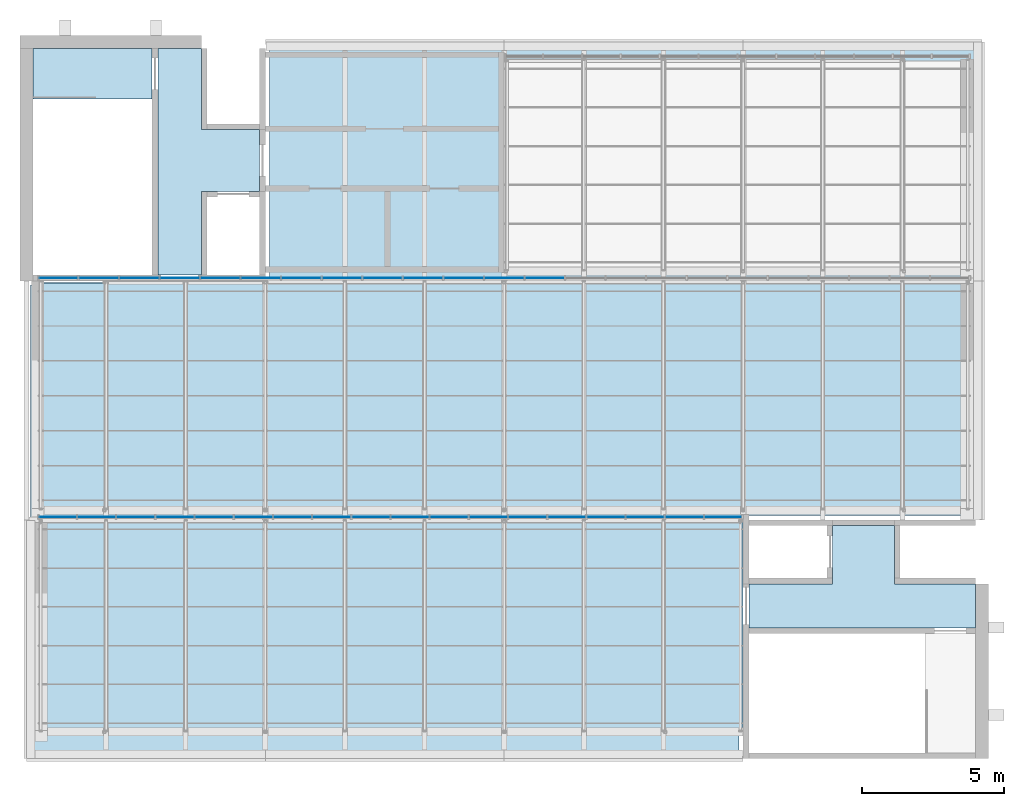
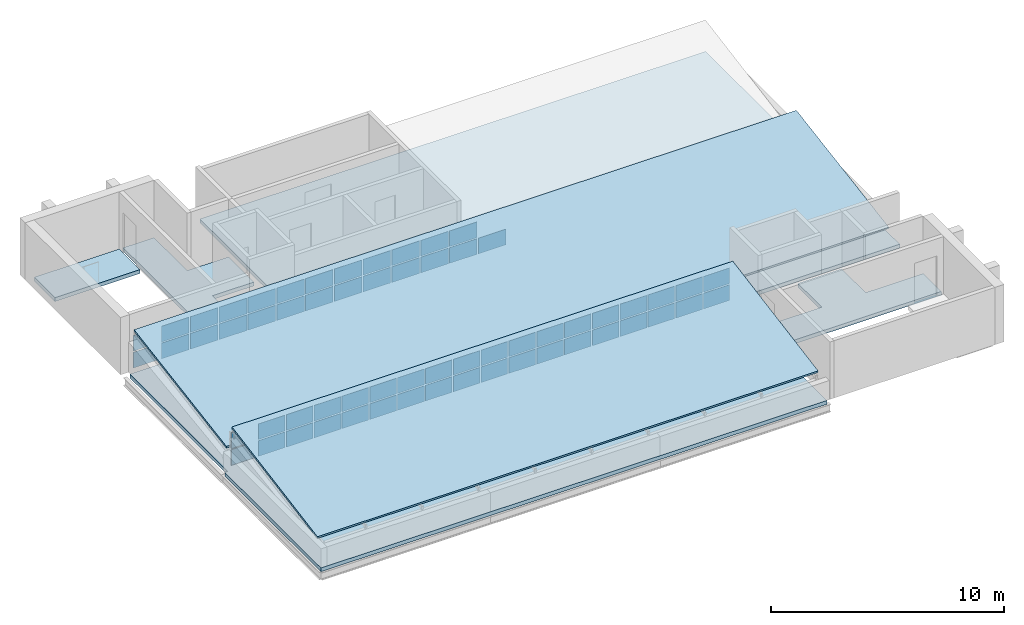
# One storey, part 21 of 33: 61 plates, 6 slabs, 2 elements without a shape of their own.
"""IFC4 building model written with IfcOpenShell, lengths in metres."""

from ifc_helpers import new_model, si_unit, direction, frame, origin, origin_2d, place, context, subcontext, project, spatial, polyline, rectangle, outline, extrude, material, layer, layer_set, type_object, element, aggregate, save


model = new_model("IFC4")

# Units and contexts
model_context = context("Model", 3, precision=1e-05, world=origin(), true_north=direction((0.0, 1.0)))
body_context = subcontext(model_context, "Body", "Model", "MODEL_VIEW")
ifc_project = project(units=[si_unit("LENGTHUNIT", "METRE"), si_unit("AREAUNIT", "SQUARE_METRE"), si_unit("VOLUMEUNIT", "CUBIC_METRE"), si_unit("PLANEANGLEUNIT", "RADIAN"), si_unit("MASSUNIT", "GRAM", prefix="KILO")], contexts=[model_context])

# Site, building, storey
site_placement = place(None, origin())
site = spatial("IfcSite", under=ifc_project, at=site_placement, CompositionType="ELEMENT")
building_placement = place(site_placement, origin())
building = spatial("IfcBuilding", under=site, at=building_placement, Name="Ardhachandra Cancer Care Centre", CompositionType="ELEMENT")
storey_placement = place(building_placement, frame((0.0, 0.0, 27.0)))
storey = spatial("IfcBuildingStorey", under=building, at=storey_placement, Name="Roof", CompositionType="ELEMENT", Elevation=27.0)

# Slabs
ifc_material_1 = material(Name="Composite slab Concrete M30 on steel deck", Category="concrete")
ifc_layer_1 = layer(ifc_material_1, 0.199951171875)
ifc_layer_set_1 = layer_set([ifc_layer_1], Name="Composite slab Concrete M30 on steel deck")
slab_type_1 = type_object("IfcSlabType", Name="Composite roof slab 200", PredefinedType="ROOF", material=ifc_layer_set_1)
slab_1_placement = place(storey_placement, frame((0.0, 0.0, -0.199951171875)))
element("IfcSlab", 1, at=slab_1_placement, inside=storey, type_object=slab_type_1, Name="Roof slab V5", PredefinedType="ROOF", context=body_context, shape_type="SweptSolid", body=[
    extrude(outline(polyline([(120.14990234375, 105.0), (120.14990234375, 96.449951171875), (111.75, 96.449951171875), (111.75, 88.050048828125), (111.60009765625, 88.050048828125), (111.60009765625, 79.800048828125), (136.64990234375, 79.800048828125), (136.64990234375, 79.949951171875), (136.64990234375, 88.35009765625), (145.199951171875, 88.35009765625), (145.199951171875, 105.0), (120.14990234375, 105.0)])), origin(), (0.0, 0.0, 1.0), 0.199951171875),
])
ifc_material_2 = material(Name="Concrete M40", Category="concrete")
ifc_layer_2 = layer(ifc_material_2, 0.199951171875)
ifc_layer_set_2 = layer_set([ifc_layer_2], Name="Concrete M40")
slab_type_2 = type_object("IfcSlabType", Name="Core head-house floor slab 200", PredefinedType="FLOOR", material=ifc_layer_set_2)
slab_2_placement = place(storey_placement, frame((0.0, 0.0, -0.199951171875)))
element("IfcSlab", 2, at=slab_2_placement, inside=storey, type_object=slab_type_2, Name="Stair head-house floor slab K12 1", PredefinedType="FLOOR", context=body_context, shape_type="SweptSolid", body=[
    extrude(outline(polyline([(116.02490234375, 104.77490234375), (116.02490234375, 103.0), (111.824951171875, 103.0), (111.824951171875, 104.77490234375), (116.02490234375, 104.77490234375)])), origin(), (0.0, 0.0, 1.0), 0.199951171875),
])
slab_3_placement = place(storey_placement, frame((0.0, 0.0, -0.199951171875)))
element("IfcSlab", 3, at=slab_3_placement, inside=storey, type_object=slab_type_2, Name="Stair head-house floor slab K12 2", PredefinedType="FLOOR", context=body_context, shape_type="SweptSolid", body=[
    extrude(outline(polyline([(117.949951171875, 99.75), (117.75, 99.75), (117.75, 96.800048828125), (116.22509765625, 96.800048828125), (116.22509765625, 104.77490234375), (117.75, 104.77490234375), (117.75, 101.925048828125), (117.949951171875, 101.925048828125), (119.800048828125, 101.925048828125), (119.800048828125, 99.75), (117.949951171875, 99.75)])), origin(), (0.0, 0.0, 1.0), 0.199951171875),
])
slab_4_placement = place(storey_placement, frame((0.0, 0.0, -0.199951171875)))
element("IfcSlab", 4, at=slab_4_placement, inside=storey, type_object=slab_type_2, Name="Stair head-house floor slab K13 2", PredefinedType="FLOOR", context=body_context, shape_type="SweptSolid", body=[
    extrude(outline(polyline([(139.949951171875, 86.14990234375), (139.949951171875, 85.949951171875), (137.0, 85.949951171875), (137.0, 84.39990234375), (144.97509765625, 84.39990234375), (144.97509765625, 85.949951171875), (142.125, 85.949951171875), (142.125, 86.14990234375), (142.125, 88.0), (139.949951171875, 88.0), (139.949951171875, 86.14990234375)])), origin(), (0.0, 0.0, 1.0), 0.199951171875),
])

# Curtain wall, plates
ifc_material_3 = material(Name="Aluminium extrusion", Category="aluminium")
ifc_layer_3 = layer(ifc_material_3, 0.14990234375)
ifc_layer_set_3 = layer_set([ifc_layer_3], Name="Aluminium extrusion")
curtain_wall_type = type_object("IfcCurtainWallType", Name="Curtain wall run", PredefinedType="NOTDEFINED", material=ifc_layer_set_3)
curtain_wall_1_placement = place(storey_placement, origin())
curtain_wall_1 = element("IfcCurtainWall", 5, at=curtain_wall_1_placement, inside=storey, type_object=curtain_wall_type, Name="Curtain wall Roof n/0112000_0088300", PredefinedType="NOTDEFINED")
ifc_material_4 = material(Name="Low-iron double-glazed unit")
ifc_layer_4 = layer(ifc_material_4, 0.028076171875)
ifc_layer_set_4 = layer_set([ifc_layer_4], Name="Low-iron double-glazed unit")
plate_type_1 = type_object("IfcPlateType", Name="Curtain wall glazing 28", PredefinedType="CURTAIN_PANEL", material=ifc_layer_set_4)
plate_1_placement = place(storey_placement, frame((112.703857421875, 88.300048828125, 0.93994140625), z_axis=(0.0, 0.0, 1.0), x_axis=(1.0, 0.0, 0.0)))
plate_1 = element("IfcPlate", 6, at=plate_1_placement, type_object=plate_type_1, Name="CW panel 1.2", PredefinedType="CURTAIN_PANEL", context=body_context, shape_type="SweptSolid", body=[
    extrude(rectangle(XDim=1.287841796875, YDim=0.028076171875, at=origin_2d()), origin(), (0.0, 0.0, 1.0), 0.820068359375),
])
plate_2_placement = place(storey_placement, frame((114.066650390625, 88.300048828125, 0.93994140625), z_axis=(0.0, 0.0, 1.0), x_axis=(1.0, 0.0, 0.0)))
plate_2 = element("IfcPlate", 7, at=plate_2_placement, type_object=plate_type_1, Name="CW panel 2.2", PredefinedType="CURTAIN_PANEL", context=body_context, shape_type="SweptSolid", body=[
    extrude(rectangle(XDim=1.31787109375, YDim=0.028076171875, at=origin_2d()), origin(), (0.0, 0.0, 1.0), 0.820068359375),
])
plate_3_placement = place(storey_placement, frame((115.4443359375, 88.300048828125, 0.93994140625), z_axis=(0.0, 0.0, 1.0), x_axis=(1.0, 0.0, 0.0)))
plate_3 = element("IfcPlate", 8, at=plate_3_placement, type_object=plate_type_1, Name="CW panel 3.2", PredefinedType="CURTAIN_PANEL", context=body_context, shape_type="SweptSolid", body=[
    extrude(rectangle(XDim=1.31787109375, YDim=0.028076171875, at=origin_2d()), origin(), (0.0, 0.0, 1.0), 0.820068359375),
])
plate_4_placement = place(storey_placement, frame((116.822265625, 88.300048828125, 0.93994140625), z_axis=(0.0, 0.0, 1.0), x_axis=(1.0, 0.0, 0.0)))
plate_4 = element("IfcPlate", 9, at=plate_4_placement, type_object=plate_type_1, Name="CW panel 4.2", PredefinedType="CURTAIN_PANEL", context=body_context, shape_type="SweptSolid", body=[
    extrude(rectangle(XDim=1.31787109375, YDim=0.028076171875, at=origin_2d()), origin(), (0.0, 0.0, 1.0), 0.820068359375),
])
plate_5_placement = place(storey_placement, frame((118.199951171875, 88.300048828125, 0.93994140625), z_axis=(0.0, 0.0, 1.0), x_axis=(1.0, 0.0, 0.0)))
plate_5 = element("IfcPlate", 10, at=plate_5_placement, type_object=plate_type_1, Name="CW panel 5.2", PredefinedType="CURTAIN_PANEL", context=body_context, shape_type="SweptSolid", body=[
    extrude(rectangle(XDim=1.31787109375, YDim=0.028076171875, at=origin_2d()), origin(), (0.0, 0.0, 1.0), 0.820068359375),
])
plate_6_placement = place(storey_placement, frame((119.577880859375, 88.300048828125, 0.93994140625), z_axis=(0.0, 0.0, 1.0), x_axis=(1.0, 0.0, 0.0)))
plate_6 = element("IfcPlate", 11, at=plate_6_placement, type_object=plate_type_1, Name="CW panel 6.2", PredefinedType="CURTAIN_PANEL", context=body_context, shape_type="SweptSolid", body=[
    extrude(rectangle(XDim=1.31787109375, YDim=0.028076171875, at=origin_2d()), origin(), (0.0, 0.0, 1.0), 0.820068359375),
])
plate_7_placement = place(storey_placement, frame((120.95556640625, 88.300048828125, 0.93994140625), z_axis=(0.0, 0.0, 1.0), x_axis=(1.0, 0.0, 0.0)))
plate_7 = element("IfcPlate", 12, at=plate_7_placement, type_object=plate_type_1, Name="CW panel 7.2", PredefinedType="CURTAIN_PANEL", context=body_context, shape_type="SweptSolid", body=[
    extrude(rectangle(XDim=1.31787109375, YDim=0.028076171875, at=origin_2d()), origin(), (0.0, 0.0, 1.0), 0.820068359375),
])
plate_8_placement = place(storey_placement, frame((122.333251953125, 88.300048828125, 0.93994140625), z_axis=(0.0, 0.0, 1.0), x_axis=(1.0, 0.0, 0.0)))
plate_8 = element("IfcPlate", 13, at=plate_8_placement, type_object=plate_type_1, Name="CW panel 8.2", PredefinedType="CURTAIN_PANEL", context=body_context, shape_type="SweptSolid", body=[
    extrude(rectangle(XDim=1.31787109375, YDim=0.028076171875, at=origin_2d()), origin(), (0.0, 0.0, 1.0), 0.820068359375),
])
plate_9_placement = place(storey_placement, frame((123.711181640625, 88.300048828125, 0.93994140625), z_axis=(0.0, 0.0, 1.0), x_axis=(1.0, 0.0, 0.0)))
plate_9 = element("IfcPlate", 14, at=plate_9_placement, type_object=plate_type_1, Name="CW panel 9.2", PredefinedType="CURTAIN_PANEL", context=body_context, shape_type="SweptSolid", body=[
    extrude(rectangle(XDim=1.31787109375, YDim=0.028076171875, at=origin_2d()), origin(), (0.0, 0.0, 1.0), 0.820068359375),
])
plate_10_placement = place(storey_placement, frame((125.0888671875, 88.300048828125, 0.93994140625), z_axis=(0.0, 0.0, 1.0), x_axis=(1.0, 0.0, 0.0)))
plate_10 = element("IfcPlate", 15, at=plate_10_placement, type_object=plate_type_1, Name="CW panel 10.2", PredefinedType="CURTAIN_PANEL", context=body_context, shape_type="SweptSolid", body=[
    extrude(rectangle(XDim=1.31787109375, YDim=0.028076171875, at=origin_2d()), origin(), (0.0, 0.0, 1.0), 0.820068359375),
])
plate_11_placement = place(storey_placement, frame((126.466552734375, 88.300048828125, 0.93994140625), z_axis=(0.0, 0.0, 1.0), x_axis=(1.0, 0.0, 0.0)))
plate_11 = element("IfcPlate", 16, at=plate_11_placement, type_object=plate_type_1, Name="CW panel 11.2", PredefinedType="CURTAIN_PANEL", context=body_context, shape_type="SweptSolid", body=[
    extrude(rectangle(XDim=1.31787109375, YDim=0.028076171875, at=origin_2d()), origin(), (0.0, 0.0, 1.0), 0.820068359375),
])
plate_12_placement = place(storey_placement, frame((127.844482421875, 88.300048828125, 0.93994140625), z_axis=(0.0, 0.0, 1.0), x_axis=(1.0, 0.0, 0.0)))
plate_12 = element("IfcPlate", 17, at=plate_12_placement, type_object=plate_type_1, Name="CW panel 12.2", PredefinedType="CURTAIN_PANEL", context=body_context, shape_type="SweptSolid", body=[
    extrude(rectangle(XDim=1.31787109375, YDim=0.028076171875, at=origin_2d()), origin(), (0.0, 0.0, 1.0), 0.820068359375),
])
plate_13_placement = place(storey_placement, frame((129.22216796875, 88.300048828125, 0.93994140625), z_axis=(0.0, 0.0, 1.0), x_axis=(1.0, 0.0, 0.0)))
plate_13 = element("IfcPlate", 18, at=plate_13_placement, type_object=plate_type_1, Name="CW panel 13.2", PredefinedType="CURTAIN_PANEL", context=body_context, shape_type="SweptSolid", body=[
    extrude(rectangle(XDim=1.31787109375, YDim=0.028076171875, at=origin_2d()), origin(), (0.0, 0.0, 1.0), 0.820068359375),
])
plate_14_placement = place(storey_placement, frame((130.60009765625, 88.300048828125, 0.93994140625), z_axis=(0.0, 0.0, 1.0), x_axis=(1.0, 0.0, 0.0)))
plate_14 = element("IfcPlate", 19, at=plate_14_placement, type_object=plate_type_1, Name="CW panel 14.2", PredefinedType="CURTAIN_PANEL", context=body_context, shape_type="SweptSolid", body=[
    extrude(rectangle(XDim=1.31787109375, YDim=0.028076171875, at=origin_2d()), origin(), (0.0, 0.0, 1.0), 0.820068359375),
])
plate_15_placement = place(storey_placement, frame((131.977783203125, 88.300048828125, 0.93994140625), z_axis=(0.0, 0.0, 1.0), x_axis=(1.0, 0.0, 0.0)))
plate_15 = element("IfcPlate", 20, at=plate_15_placement, type_object=plate_type_1, Name="CW panel 15.2", PredefinedType="CURTAIN_PANEL", context=body_context, shape_type="SweptSolid", body=[
    extrude(rectangle(XDim=1.31787109375, YDim=0.028076171875, at=origin_2d()), origin(), (0.0, 0.0, 1.0), 0.820068359375),
])
plate_16_placement = place(storey_placement, frame((133.35546875, 88.300048828125, 0.93994140625), z_axis=(0.0, 0.0, 1.0), x_axis=(1.0, 0.0, 0.0)))
plate_16 = element("IfcPlate", 21, at=plate_16_placement, type_object=plate_type_1, Name="CW panel 16.2", PredefinedType="CURTAIN_PANEL", context=body_context, shape_type="SweptSolid", body=[
    extrude(rectangle(XDim=1.31787109375, YDim=0.028076171875, at=origin_2d()), origin(), (0.0, 0.0, 1.0), 0.820068359375),
])
plate_17_placement = place(storey_placement, frame((134.7333984375, 88.300048828125, 0.93994140625), z_axis=(0.0, 0.0, 1.0), x_axis=(1.0, 0.0, 0.0)))
plate_17 = element("IfcPlate", 22, at=plate_17_placement, type_object=plate_type_1, Name="CW panel 17.2", PredefinedType="CURTAIN_PANEL", context=body_context, shape_type="SweptSolid", body=[
    extrude(rectangle(XDim=1.31787109375, YDim=0.028076171875, at=origin_2d()), origin(), (0.0, 0.0, 1.0), 0.820068359375),
])
plate_18_placement = place(storey_placement, frame((136.09619140625, 88.300048828125, 0.93994140625), z_axis=(0.0, 0.0, 1.0), x_axis=(1.0, 0.0, 0.0)))
plate_18 = element("IfcPlate", 23, at=plate_18_placement, type_object=plate_type_1, Name="CW panel 18.2", PredefinedType="CURTAIN_PANEL", context=body_context, shape_type="SweptSolid", body=[
    extrude(rectangle(XDim=1.287841796875, YDim=0.028076171875, at=origin_2d()), origin(), (0.0, 0.0, 1.0), 0.820068359375),
])

curtain_wall_2_placement = place(storey_placement, origin())
curtain_wall_2 = element("IfcCurtainWall", 24, at=curtain_wall_2_placement, inside=storey, type_object=curtain_wall_type, Name="Curtain wall Roof n/0112000_0096700", PredefinedType="NOTDEFINED")
plate_19_placement = place(storey_placement, frame((112.72802734375, 96.699951171875, 0.93994140625), z_axis=(0.0, 0.0, 1.0), x_axis=(1.0, 0.0, 0.0)))
plate_19 = element("IfcPlate", 25, at=plate_19_placement, type_object=plate_type_1, Name="CW panel 1.2", PredefinedType="CURTAIN_PANEL", context=body_context, shape_type="SweptSolid", body=[
    extrude(rectangle(XDim=1.336181640625, YDim=0.028076171875, at=origin_2d()), origin(), (0.0, 0.0, 1.0), 0.820068359375),
])
plate_20_placement = place(storey_placement, frame((114.13916015625, 96.699951171875, 0.93994140625), z_axis=(0.0, 0.0, 1.0), x_axis=(1.0, 0.0, 0.0)))
plate_20 = element("IfcPlate", 26, at=plate_20_placement, type_object=plate_type_1, Name="CW panel 2.2", PredefinedType="CURTAIN_PANEL", context=body_context, shape_type="SweptSolid", body=[
    extrude(rectangle(XDim=1.365966796875, YDim=0.028076171875, at=origin_2d()), origin(), (0.0, 0.0, 1.0), 0.820068359375),
])
plate_21_placement = place(storey_placement, frame((115.565185546875, 96.699951171875, 0.93994140625), z_axis=(0.0, 0.0, 1.0), x_axis=(1.0, 0.0, 0.0)))
plate_21 = element("IfcPlate", 27, at=plate_21_placement, type_object=plate_type_1, Name="CW panel 3.2", PredefinedType="CURTAIN_PANEL", context=body_context, shape_type="SweptSolid", body=[
    extrude(rectangle(XDim=1.365966796875, YDim=0.028076171875, at=origin_2d()), origin(), (0.0, 0.0, 1.0), 0.820068359375),
])
plate_22_placement = place(storey_placement, frame((116.9912109375, 96.699951171875, 0.93994140625), z_axis=(0.0, 0.0, 1.0), x_axis=(1.0, 0.0, 0.0)))
plate_22 = element("IfcPlate", 28, at=plate_22_placement, type_object=plate_type_1, Name="CW panel 4.2", PredefinedType="CURTAIN_PANEL", context=body_context, shape_type="SweptSolid", body=[
    extrude(rectangle(XDim=1.365966796875, YDim=0.028076171875, at=origin_2d()), origin(), (0.0, 0.0, 1.0), 0.820068359375),
])
plate_23_placement = place(storey_placement, frame((118.41748046875, 96.699951171875, 0.93994140625), z_axis=(0.0, 0.0, 1.0), x_axis=(1.0, 0.0, 0.0)))
plate_23 = element("IfcPlate", 29, at=plate_23_placement, type_object=plate_type_1, Name="CW panel 5.2", PredefinedType="CURTAIN_PANEL", context=body_context, shape_type="SweptSolid", body=[
    extrude(rectangle(XDim=1.365966796875, YDim=0.028076171875, at=origin_2d()), origin(), (0.0, 0.0, 1.0), 0.820068359375),
])
plate_24_placement = place(storey_placement, frame((119.843505859375, 96.699951171875, 0.93994140625), z_axis=(0.0, 0.0, 1.0), x_axis=(1.0, 0.0, 0.0)))
plate_24 = element("IfcPlate", 30, at=plate_24_placement, type_object=plate_type_1, Name="CW panel 6.2", PredefinedType="CURTAIN_PANEL", context=body_context, shape_type="SweptSolid", body=[
    extrude(rectangle(XDim=1.365966796875, YDim=0.028076171875, at=origin_2d()), origin(), (0.0, 0.0, 1.0), 0.820068359375),
])
plate_25_placement = place(storey_placement, frame((121.26953125, 96.699951171875, 0.93994140625), z_axis=(0.0, 0.0, 1.0), x_axis=(1.0, 0.0, 0.0)))
plate_25 = element("IfcPlate", 31, at=plate_25_placement, type_object=plate_type_1, Name="CW panel 7.2", PredefinedType="CURTAIN_PANEL", context=body_context, shape_type="SweptSolid", body=[
    extrude(rectangle(XDim=1.365966796875, YDim=0.028076171875, at=origin_2d()), origin(), (0.0, 0.0, 1.0), 0.820068359375),
])
plate_26_placement = place(storey_placement, frame((122.695556640625, 96.699951171875, 0.93994140625), z_axis=(0.0, 0.0, 1.0), x_axis=(1.0, 0.0, 0.0)))
plate_26 = element("IfcPlate", 32, at=plate_26_placement, type_object=plate_type_1, Name="CW panel 8.2", PredefinedType="CURTAIN_PANEL", context=body_context, shape_type="SweptSolid", body=[
    extrude(rectangle(XDim=1.365966796875, YDim=0.028076171875, at=origin_2d()), origin(), (0.0, 0.0, 1.0), 0.820068359375),
])
plate_27_placement = place(storey_placement, frame((124.121826171875, 96.699951171875, 0.93994140625), z_axis=(0.0, 0.0, 1.0), x_axis=(1.0, 0.0, 0.0)))
plate_27 = element("IfcPlate", 33, at=plate_27_placement, type_object=plate_type_1, Name="CW panel 9.2", PredefinedType="CURTAIN_PANEL", context=body_context, shape_type="SweptSolid", body=[
    extrude(rectangle(XDim=1.365966796875, YDim=0.028076171875, at=origin_2d()), origin(), (0.0, 0.0, 1.0), 0.820068359375),
])
plate_28_placement = place(storey_placement, frame((125.5478515625, 96.699951171875, 0.93994140625), z_axis=(0.0, 0.0, 1.0), x_axis=(1.0, 0.0, 0.0)))
plate_28 = element("IfcPlate", 34, at=plate_28_placement, type_object=plate_type_1, Name="CW panel 10.2", PredefinedType="CURTAIN_PANEL", context=body_context, shape_type="SweptSolid", body=[
    extrude(rectangle(XDim=1.365966796875, YDim=0.028076171875, at=origin_2d()), origin(), (0.0, 0.0, 1.0), 0.820068359375),
])
plate_29_placement = place(storey_placement, frame((126.973876953125, 96.699951171875, 0.93994140625), z_axis=(0.0, 0.0, 1.0), x_axis=(1.0, 0.0, 0.0)))
plate_29 = element("IfcPlate", 35, at=plate_29_placement, type_object=plate_type_1, Name="CW panel 11.2", PredefinedType="CURTAIN_PANEL", context=body_context, shape_type="SweptSolid", body=[
    extrude(rectangle(XDim=1.365966796875, YDim=0.028076171875, at=origin_2d()), origin(), (0.0, 0.0, 1.0), 0.820068359375),
])
plate_30_placement = place(storey_placement, frame((128.39990234375, 96.699951171875, 0.93994140625), z_axis=(0.0, 0.0, 1.0), x_axis=(1.0, 0.0, 0.0)))
plate_30 = element("IfcPlate", 36, at=plate_30_placement, type_object=plate_type_1, Name="CW panel 12.2", PredefinedType="CURTAIN_PANEL", context=body_context, shape_type="SweptSolid", body=[
    extrude(rectangle(XDim=1.365966796875, YDim=0.028076171875, at=origin_2d()), origin(), (0.0, 0.0, 1.0), 0.820068359375),
])

# Plate
ifc_material_5 = material(Name="Aluminium composite spandrel panel", Category="aluminium")
ifc_layer_5 = layer(ifc_material_5, 0.028076171875)
ifc_layer_set_5 = layer_set([ifc_layer_5], Name="Aluminium composite spandrel panel")
plate_type_2 = type_object("IfcPlateType", Name="Curtain wall spandrel panel 28", PredefinedType="CURTAIN_PANEL", material=ifc_layer_set_5)
plate_31_placement = place(storey_placement, frame((112.703857421875, 88.300048828125, 0.06005859375), z_axis=(0.0, 0.0, 1.0), x_axis=(1.0, 0.0, 0.0)))
plate_31 = element("IfcPlate", 37, at=plate_31_placement, type_object=plate_type_2, Name="CW panel 1.1", PredefinedType="CURTAIN_PANEL", context=body_context, shape_type="SweptSolid", body=[
    extrude(rectangle(XDim=1.287841796875, YDim=0.028076171875, at=origin_2d()), origin(), (0.0, 0.0, 1.0), 0.820068359375),
])

plate_32_placement = place(storey_placement, frame((114.066650390625, 88.300048828125, 0.06005859375), z_axis=(0.0, 0.0, 1.0), x_axis=(1.0, 0.0, 0.0)))
plate_32 = element("IfcPlate", 38, at=plate_32_placement, type_object=plate_type_2, Name="CW panel 2.1", PredefinedType="CURTAIN_PANEL", context=body_context, shape_type="SweptSolid", body=[
    extrude(rectangle(XDim=1.31787109375, YDim=0.028076171875, at=origin_2d()), origin(), (0.0, 0.0, 1.0), 0.820068359375),
])

plate_33_placement = place(storey_placement, frame((115.4443359375, 88.300048828125, 0.06005859375), z_axis=(0.0, 0.0, 1.0), x_axis=(1.0, 0.0, 0.0)))
plate_33 = element("IfcPlate", 39, at=plate_33_placement, type_object=plate_type_2, Name="CW panel 3.1", PredefinedType="CURTAIN_PANEL", context=body_context, shape_type="SweptSolid", body=[
    extrude(rectangle(XDim=1.31787109375, YDim=0.028076171875, at=origin_2d()), origin(), (0.0, 0.0, 1.0), 0.820068359375),
])

plate_34_placement = place(storey_placement, frame((116.822265625, 88.300048828125, 0.06005859375), z_axis=(0.0, 0.0, 1.0), x_axis=(1.0, 0.0, 0.0)))
plate_34 = element("IfcPlate", 40, at=plate_34_placement, type_object=plate_type_2, Name="CW panel 4.1", PredefinedType="CURTAIN_PANEL", context=body_context, shape_type="SweptSolid", body=[
    extrude(rectangle(XDim=1.31787109375, YDim=0.028076171875, at=origin_2d()), origin(), (0.0, 0.0, 1.0), 0.820068359375),
])

plate_35_placement = place(storey_placement, frame((118.199951171875, 88.300048828125, 0.06005859375), z_axis=(0.0, 0.0, 1.0), x_axis=(1.0, 0.0, 0.0)))
plate_35 = element("IfcPlate", 41, at=plate_35_placement, type_object=plate_type_2, Name="CW panel 5.1", PredefinedType="CURTAIN_PANEL", context=body_context, shape_type="SweptSolid", body=[
    extrude(rectangle(XDim=1.31787109375, YDim=0.028076171875, at=origin_2d()), origin(), (0.0, 0.0, 1.0), 0.820068359375),
])

plate_36_placement = place(storey_placement, frame((119.577880859375, 88.300048828125, 0.06005859375), z_axis=(0.0, 0.0, 1.0), x_axis=(1.0, 0.0, 0.0)))
plate_36 = element("IfcPlate", 42, at=plate_36_placement, type_object=plate_type_2, Name="CW panel 6.1", PredefinedType="CURTAIN_PANEL", context=body_context, shape_type="SweptSolid", body=[
    extrude(rectangle(XDim=1.31787109375, YDim=0.028076171875, at=origin_2d()), origin(), (0.0, 0.0, 1.0), 0.820068359375),
])

plate_37_placement = place(storey_placement, frame((120.95556640625, 88.300048828125, 0.06005859375), z_axis=(0.0, 0.0, 1.0), x_axis=(1.0, 0.0, 0.0)))
plate_37 = element("IfcPlate", 43, at=plate_37_placement, type_object=plate_type_2, Name="CW panel 7.1", PredefinedType="CURTAIN_PANEL", context=body_context, shape_type="SweptSolid", body=[
    extrude(rectangle(XDim=1.31787109375, YDim=0.028076171875, at=origin_2d()), origin(), (0.0, 0.0, 1.0), 0.820068359375),
])

plate_38_placement = place(storey_placement, frame((122.333251953125, 88.300048828125, 0.06005859375), z_axis=(0.0, 0.0, 1.0), x_axis=(1.0, 0.0, 0.0)))
plate_38 = element("IfcPlate", 44, at=plate_38_placement, type_object=plate_type_2, Name="CW panel 8.1", PredefinedType="CURTAIN_PANEL", context=body_context, shape_type="SweptSolid", body=[
    extrude(rectangle(XDim=1.31787109375, YDim=0.028076171875, at=origin_2d()), origin(), (0.0, 0.0, 1.0), 0.820068359375),
])

plate_39_placement = place(storey_placement, frame((123.711181640625, 88.300048828125, 0.06005859375), z_axis=(0.0, 0.0, 1.0), x_axis=(1.0, 0.0, 0.0)))
plate_39 = element("IfcPlate", 45, at=plate_39_placement, type_object=plate_type_2, Name="CW panel 9.1", PredefinedType="CURTAIN_PANEL", context=body_context, shape_type="SweptSolid", body=[
    extrude(rectangle(XDim=1.31787109375, YDim=0.028076171875, at=origin_2d()), origin(), (0.0, 0.0, 1.0), 0.820068359375),
])

plate_40_placement = place(storey_placement, frame((125.0888671875, 88.300048828125, 0.06005859375), z_axis=(0.0, 0.0, 1.0), x_axis=(1.0, 0.0, 0.0)))
plate_40 = element("IfcPlate", 46, at=plate_40_placement, type_object=plate_type_2, Name="CW panel 10.1", PredefinedType="CURTAIN_PANEL", context=body_context, shape_type="SweptSolid", body=[
    extrude(rectangle(XDim=1.31787109375, YDim=0.028076171875, at=origin_2d()), origin(), (0.0, 0.0, 1.0), 0.820068359375),
])

plate_41_placement = place(storey_placement, frame((126.466552734375, 88.300048828125, 0.06005859375), z_axis=(0.0, 0.0, 1.0), x_axis=(1.0, 0.0, 0.0)))
plate_41 = element("IfcPlate", 47, at=plate_41_placement, type_object=plate_type_2, Name="CW panel 11.1", PredefinedType="CURTAIN_PANEL", context=body_context, shape_type="SweptSolid", body=[
    extrude(rectangle(XDim=1.31787109375, YDim=0.028076171875, at=origin_2d()), origin(), (0.0, 0.0, 1.0), 0.820068359375),
])

plate_42_placement = place(storey_placement, frame((127.844482421875, 88.300048828125, 0.06005859375), z_axis=(0.0, 0.0, 1.0), x_axis=(1.0, 0.0, 0.0)))
plate_42 = element("IfcPlate", 48, at=plate_42_placement, type_object=plate_type_2, Name="CW panel 12.1", PredefinedType="CURTAIN_PANEL", context=body_context, shape_type="SweptSolid", body=[
    extrude(rectangle(XDim=1.31787109375, YDim=0.028076171875, at=origin_2d()), origin(), (0.0, 0.0, 1.0), 0.820068359375),
])

plate_43_placement = place(storey_placement, frame((129.22216796875, 88.300048828125, 0.06005859375), z_axis=(0.0, 0.0, 1.0), x_axis=(1.0, 0.0, 0.0)))
plate_43 = element("IfcPlate", 49, at=plate_43_placement, type_object=plate_type_2, Name="CW panel 13.1", PredefinedType="CURTAIN_PANEL", context=body_context, shape_type="SweptSolid", body=[
    extrude(rectangle(XDim=1.31787109375, YDim=0.028076171875, at=origin_2d()), origin(), (0.0, 0.0, 1.0), 0.820068359375),
])

plate_44_placement = place(storey_placement, frame((130.60009765625, 88.300048828125, 0.06005859375), z_axis=(0.0, 0.0, 1.0), x_axis=(1.0, 0.0, 0.0)))
plate_44 = element("IfcPlate", 50, at=plate_44_placement, type_object=plate_type_2, Name="CW panel 14.1", PredefinedType="CURTAIN_PANEL", context=body_context, shape_type="SweptSolid", body=[
    extrude(rectangle(XDim=1.31787109375, YDim=0.028076171875, at=origin_2d()), origin(), (0.0, 0.0, 1.0), 0.820068359375),
])

plate_45_placement = place(storey_placement, frame((131.977783203125, 88.300048828125, 0.06005859375), z_axis=(0.0, 0.0, 1.0), x_axis=(1.0, 0.0, 0.0)))
plate_45 = element("IfcPlate", 51, at=plate_45_placement, type_object=plate_type_2, Name="CW panel 15.1", PredefinedType="CURTAIN_PANEL", context=body_context, shape_type="SweptSolid", body=[
    extrude(rectangle(XDim=1.31787109375, YDim=0.028076171875, at=origin_2d()), origin(), (0.0, 0.0, 1.0), 0.820068359375),
])

plate_46_placement = place(storey_placement, frame((133.35546875, 88.300048828125, 0.06005859375), z_axis=(0.0, 0.0, 1.0), x_axis=(1.0, 0.0, 0.0)))
plate_46 = element("IfcPlate", 52, at=plate_46_placement, type_object=plate_type_2, Name="CW panel 16.1", PredefinedType="CURTAIN_PANEL", context=body_context, shape_type="SweptSolid", body=[
    extrude(rectangle(XDim=1.31787109375, YDim=0.028076171875, at=origin_2d()), origin(), (0.0, 0.0, 1.0), 0.820068359375),
])

plate_47_placement = place(storey_placement, frame((134.7333984375, 88.300048828125, 0.06005859375), z_axis=(0.0, 0.0, 1.0), x_axis=(1.0, 0.0, 0.0)))
plate_47 = element("IfcPlate", 53, at=plate_47_placement, type_object=plate_type_2, Name="CW panel 17.1", PredefinedType="CURTAIN_PANEL", context=body_context, shape_type="SweptSolid", body=[
    extrude(rectangle(XDim=1.31787109375, YDim=0.028076171875, at=origin_2d()), origin(), (0.0, 0.0, 1.0), 0.820068359375),
])

plate_48_placement = place(storey_placement, frame((136.09619140625, 88.300048828125, 0.06005859375), z_axis=(0.0, 0.0, 1.0), x_axis=(1.0, 0.0, 0.0)))
plate_48 = element("IfcPlate", 54, at=plate_48_placement, type_object=plate_type_2, Name="CW panel 18.1", PredefinedType="CURTAIN_PANEL", context=body_context, shape_type="SweptSolid", body=[
    extrude(rectangle(XDim=1.287841796875, YDim=0.028076171875, at=origin_2d()), origin(), (0.0, 0.0, 1.0), 0.820068359375),
])

aggregate(curtain_wall_1, [plate_31, plate_1, plate_32, plate_2, plate_33, plate_3, plate_34, plate_4, plate_35, plate_5, plate_36, plate_6, plate_37, plate_7, plate_38, plate_8, plate_39, plate_9, plate_40, plate_10, plate_41, plate_11, plate_42, plate_12, plate_43, plate_13, plate_44, plate_14, plate_45, plate_15, plate_46, plate_16, plate_47, plate_17, plate_48, plate_18])

plate_49_placement = place(storey_placement, frame((112.72802734375, 96.699951171875, 0.06005859375), z_axis=(0.0, 0.0, 1.0), x_axis=(1.0, 0.0, 0.0)))
plate_49 = element("IfcPlate", 55, at=plate_49_placement, type_object=plate_type_2, Name="CW panel 1.1", PredefinedType="CURTAIN_PANEL", context=body_context, shape_type="SweptSolid", body=[
    extrude(rectangle(XDim=1.336181640625, YDim=0.028076171875, at=origin_2d()), origin(), (0.0, 0.0, 1.0), 0.820068359375),
])

plate_50_placement = place(storey_placement, frame((114.13916015625, 96.699951171875, 0.06005859375), z_axis=(0.0, 0.0, 1.0), x_axis=(1.0, 0.0, 0.0)))
plate_50 = element("IfcPlate", 56, at=plate_50_placement, type_object=plate_type_2, Name="CW panel 2.1", PredefinedType="CURTAIN_PANEL", context=body_context, shape_type="SweptSolid", body=[
    extrude(rectangle(XDim=1.365966796875, YDim=0.028076171875, at=origin_2d()), origin(), (0.0, 0.0, 1.0), 0.820068359375),
])

plate_51_placement = place(storey_placement, frame((115.565185546875, 96.699951171875, 0.06005859375), z_axis=(0.0, 0.0, 1.0), x_axis=(1.0, 0.0, 0.0)))
plate_51 = element("IfcPlate", 57, at=plate_51_placement, type_object=plate_type_2, Name="CW panel 3.1", PredefinedType="CURTAIN_PANEL", context=body_context, shape_type="SweptSolid", body=[
    extrude(rectangle(XDim=1.365966796875, YDim=0.028076171875, at=origin_2d()), origin(), (0.0, 0.0, 1.0), 0.820068359375),
])

plate_52_placement = place(storey_placement, frame((116.9912109375, 96.699951171875, 0.06005859375), z_axis=(0.0, 0.0, 1.0), x_axis=(1.0, 0.0, 0.0)))
plate_52 = element("IfcPlate", 58, at=plate_52_placement, type_object=plate_type_2, Name="CW panel 4.1", PredefinedType="CURTAIN_PANEL", context=body_context, shape_type="SweptSolid", body=[
    extrude(rectangle(XDim=1.365966796875, YDim=0.028076171875, at=origin_2d()), origin(), (0.0, 0.0, 1.0), 0.820068359375),
])

plate_53_placement = place(storey_placement, frame((118.41748046875, 96.699951171875, 0.06005859375), z_axis=(0.0, 0.0, 1.0), x_axis=(1.0, 0.0, 0.0)))
plate_53 = element("IfcPlate", 59, at=plate_53_placement, type_object=plate_type_2, Name="CW panel 5.1", PredefinedType="CURTAIN_PANEL", context=body_context, shape_type="SweptSolid", body=[
    extrude(rectangle(XDim=1.365966796875, YDim=0.028076171875, at=origin_2d()), origin(), (0.0, 0.0, 1.0), 0.820068359375),
])

plate_54_placement = place(storey_placement, frame((119.843505859375, 96.699951171875, 0.06005859375), z_axis=(0.0, 0.0, 1.0), x_axis=(1.0, 0.0, 0.0)))
plate_54 = element("IfcPlate", 60, at=plate_54_placement, type_object=plate_type_2, Name="CW panel 6.1", PredefinedType="CURTAIN_PANEL", context=body_context, shape_type="SweptSolid", body=[
    extrude(rectangle(XDim=1.365966796875, YDim=0.028076171875, at=origin_2d()), origin(), (0.0, 0.0, 1.0), 0.820068359375),
])

plate_55_placement = place(storey_placement, frame((121.26953125, 96.699951171875, 0.06005859375), z_axis=(0.0, 0.0, 1.0), x_axis=(1.0, 0.0, 0.0)))
plate_55 = element("IfcPlate", 61, at=plate_55_placement, type_object=plate_type_2, Name="CW panel 7.1", PredefinedType="CURTAIN_PANEL", context=body_context, shape_type="SweptSolid", body=[
    extrude(rectangle(XDim=1.365966796875, YDim=0.028076171875, at=origin_2d()), origin(), (0.0, 0.0, 1.0), 0.820068359375),
])

plate_56_placement = place(storey_placement, frame((122.695556640625, 96.699951171875, 0.06005859375), z_axis=(0.0, 0.0, 1.0), x_axis=(1.0, 0.0, 0.0)))
plate_56 = element("IfcPlate", 62, at=plate_56_placement, type_object=plate_type_2, Name="CW panel 8.1", PredefinedType="CURTAIN_PANEL", context=body_context, shape_type="SweptSolid", body=[
    extrude(rectangle(XDim=1.365966796875, YDim=0.028076171875, at=origin_2d()), origin(), (0.0, 0.0, 1.0), 0.820068359375),
])

plate_57_placement = place(storey_placement, frame((124.121826171875, 96.699951171875, 0.06005859375), z_axis=(0.0, 0.0, 1.0), x_axis=(1.0, 0.0, 0.0)))
plate_57 = element("IfcPlate", 63, at=plate_57_placement, type_object=plate_type_2, Name="CW panel 9.1", PredefinedType="CURTAIN_PANEL", context=body_context, shape_type="SweptSolid", body=[
    extrude(rectangle(XDim=1.365966796875, YDim=0.028076171875, at=origin_2d()), origin(), (0.0, 0.0, 1.0), 0.820068359375),
])

plate_58_placement = place(storey_placement, frame((125.5478515625, 96.699951171875, 0.06005859375), z_axis=(0.0, 0.0, 1.0), x_axis=(1.0, 0.0, 0.0)))
plate_58 = element("IfcPlate", 64, at=plate_58_placement, type_object=plate_type_2, Name="CW panel 10.1", PredefinedType="CURTAIN_PANEL", context=body_context, shape_type="SweptSolid", body=[
    extrude(rectangle(XDim=1.365966796875, YDim=0.028076171875, at=origin_2d()), origin(), (0.0, 0.0, 1.0), 0.820068359375),
])

plate_59_placement = place(storey_placement, frame((126.973876953125, 96.699951171875, 0.06005859375), z_axis=(0.0, 0.0, 1.0), x_axis=(1.0, 0.0, 0.0)))
plate_59 = element("IfcPlate", 65, at=plate_59_placement, type_object=plate_type_2, Name="CW panel 11.1", PredefinedType="CURTAIN_PANEL", context=body_context, shape_type="SweptSolid", body=[
    extrude(rectangle(XDim=1.365966796875, YDim=0.028076171875, at=origin_2d()), origin(), (0.0, 0.0, 1.0), 0.820068359375),
])

plate_60_placement = place(storey_placement, frame((128.39990234375, 96.699951171875, 0.06005859375), z_axis=(0.0, 0.0, 1.0), x_axis=(1.0, 0.0, 0.0)))
plate_60 = element("IfcPlate", 66, at=plate_60_placement, type_object=plate_type_2, Name="CW panel 12.1", PredefinedType="CURTAIN_PANEL", context=body_context, shape_type="SweptSolid", body=[
    extrude(rectangle(XDim=1.365966796875, YDim=0.028076171875, at=origin_2d()), origin(), (0.0, 0.0, 1.0), 0.820068359375),
])

plate_61_placement = place(storey_placement, frame((129.826171875, 96.699951171875, 0.06005859375), z_axis=(0.0, 0.0, 1.0), x_axis=(1.0, 0.0, 0.0)))
plate_61 = element("IfcPlate", 67, at=plate_61_placement, type_object=plate_type_2, Name="CW panel 13.1", PredefinedType="CURTAIN_PANEL", context=body_context, shape_type="SweptSolid", body=[
    extrude(rectangle(XDim=1.365966796875, YDim=0.028076171875, at=origin_2d()), origin(), (0.0, 0.0, 1.0), 0.820068359375),
])

aggregate(curtain_wall_2, [plate_49, plate_19, plate_50, plate_20, plate_51, plate_21, plate_52, plate_22, plate_53, plate_23, plate_54, plate_24, plate_55, plate_25, plate_56, plate_26, plate_57, plate_27, plate_58, plate_28, plate_59, plate_29, plate_60, plate_30, plate_61])

# Slabs
ifc_material_6 = material(Name="Insulated metal roof sheet (galvalume skins, PIR core)")
ifc_layer_6 = layer(ifc_material_6, 0.10009765625)
ifc_layer_set_6 = layer_set([ifc_layer_6], Name="Insulated metal roof sheet (galvalume skins, PIR core)")
slab_type_3 = type_object("IfcSlabType", Name="Insulated roof sheet 100", PredefinedType="ROOF", material=ifc_layer_set_6)
slab_5_placement = place(storey_placement, frame((112.0, 80.800048828125, 0.885986328125), z_axis=(0.0, -0.175610067879, 0.984459803171), x_axis=(1.0, 0.0, 0.0)))
element("IfcSlab", 68, at=slab_5_placement, inside=storey, type_object=slab_type_3, Name="Roof sheet ST1a", PredefinedType="ROOF", context=body_context, shape_type="SweptSolid", body=[
    extrude(outline(polyline([(0.0, 0.0), (24.800048828125, 0.0), (24.800048828125, 7.440579237751138), (0.0, 7.440579237751138), (0.0, 0.0)])), origin(), (0.0, 0.0, -1.0), 0.10009765625),
])
slab_6_placement = place(storey_placement, frame((112.0, 88.60009765625, 0.88525390625), z_axis=(0.0, -0.162801742047, 0.98665880262), x_axis=(1.0, 0.0, 0.0)))
element("IfcSlab", 69, at=slab_6_placement, inside=storey, type_object=slab_type_3, Name="Roof sheet ST2a", PredefinedType="ROOF", context=body_context, shape_type="SweptSolid", body=[
    extrude(outline(polyline([(0.0, 0.0), (32.800048828125, 0.0), (32.800048828125, 8.031960660017413), (0.0, 8.031960660017413), (0.0, 0.0)])), origin(), (0.0, 0.0, -1.0), 0.10009765625),
])

save(model, "model.ifc")
